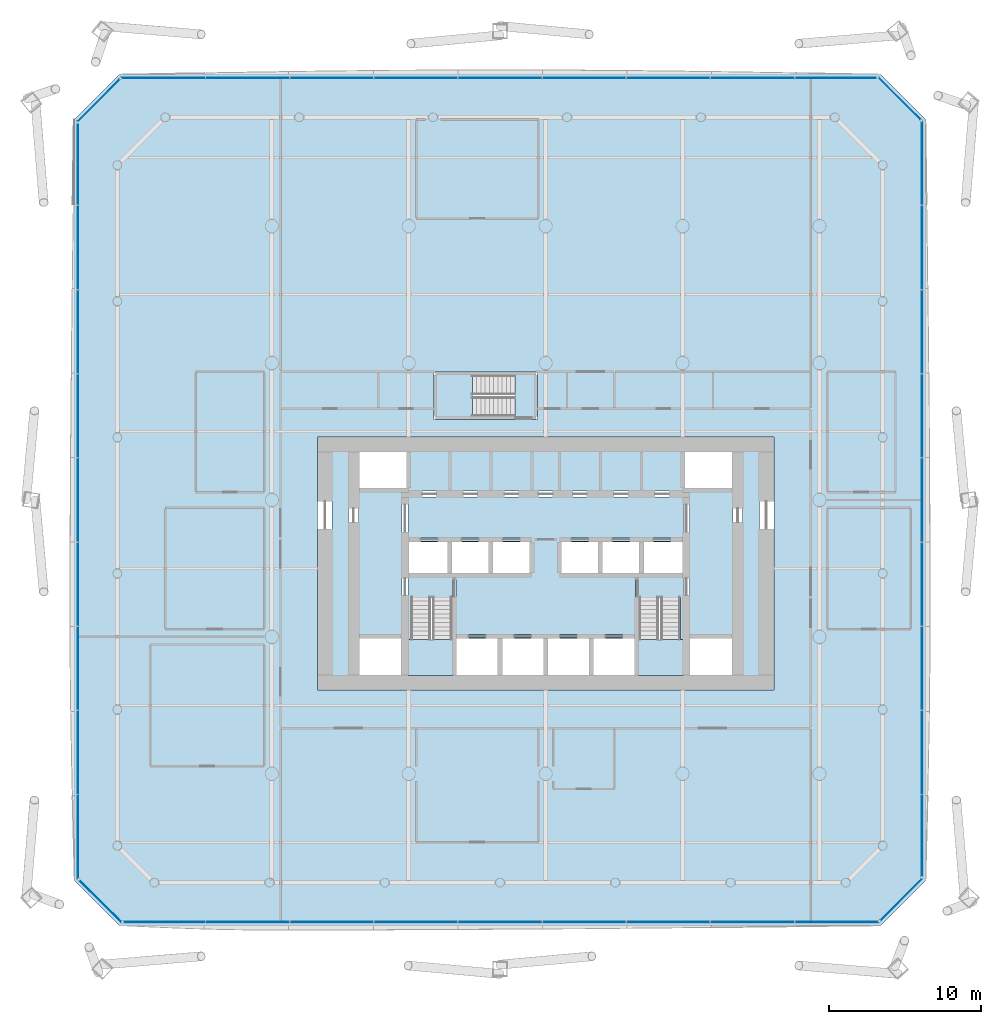
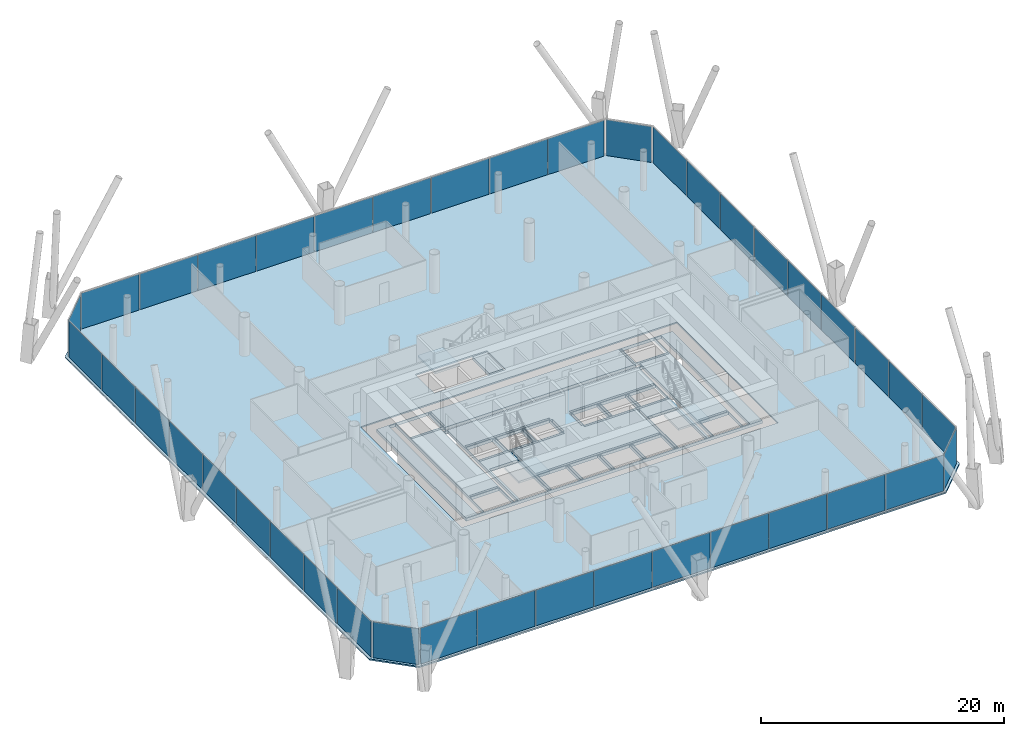
# One storey, part 16 of 25: 40 plates, 6 slabs, 11 elements without a shape of their own.
"""IFC4 building model written with IfcOpenShell, lengths in metres."""

from ifc_helpers import new_model, si_unit, direction, frame, origin, origin_2d, place, context, subcontext, project, spatial, polyline, rectangle, outline, extrude, material, layer, layer_set, type_object, element, aggregate, save


model = new_model("IFC4")

# Units and contexts
model_context = context("Model", 3, precision=1e-05, world=origin(), true_north=direction((0.0, 1.0)))
body_context = subcontext(model_context, "Body", "Model", "MODEL_VIEW")
ifc_project = project(units=[si_unit("LENGTHUNIT", "METRE"), si_unit("AREAUNIT", "SQUARE_METRE"), si_unit("VOLUMEUNIT", "CUBIC_METRE"), si_unit("PLANEANGLEUNIT", "RADIAN"), si_unit("MASSUNIT", "GRAM", prefix="KILO")], contexts=[model_context])

# Site, building, storey
site_placement = place(None, origin())
site = spatial("IfcSite", under=ifc_project, at=site_placement, CompositionType="ELEMENT")
building_placement = place(site_placement, origin())
building = spatial("IfcBuilding", under=site, at=building_placement, Name="Tskaro Facet Tower", CompositionType="ELEMENT")
storey_placement = place(building_placement, frame((0.0, 0.0, 10.800048828125)))
storey = spatial("IfcBuildingStorey", under=building, at=storey_placement, Name="L01", CompositionType="ELEMENT", Elevation=10.800048828125)

# Slab
ifc_material_1 = material(Name="Concrete C30/37", Category="concrete")
ifc_layer_1 = layer(ifc_material_1, 0.139892578125, Name="Concrete C30/37")
ifc_layer_set_1 = layer_set([ifc_layer_1], Name="Concrete C30/37")
slab_type_1 = type_object("IfcSlabType", Name="Composite deck floor slab", PredefinedType="FLOOR", material=ifc_layer_set_1)
slab_1_placement = place(storey_placement, frame((0.0, 0.0, -0.14013671875)))
element("IfcSlab", 1, at=slab_1_placement, inside=storey, type_object=slab_type_1, Name="Floor slab FS3 L01", PredefinedType="FLOOR", context=body_context, shape_type="SweptSolid", body=[
    extrude(outline(polyline([(-28.0, -28.0), (22.0, -28.0), (25.0, -25.0), (25.0, 25.0), (22.0, 28.0), (-28.0, 28.0), (-31.0, 25.0), (-31.0, -25.0), (-28.0, -28.0)]), holes=[polyline([(-15.0, -12.5), (15.0, -12.5), (15.0, 4.14990234375), (-15.0, 4.14990234375), (-15.0, -12.5)]), polyline([(-7.35009765625, 5.300048828125), (-0.550048828125, 5.300048828125), (-0.550048828125, 8.39990234375), (-7.35009765625, 8.39990234375), (-7.35009765625, 5.300048828125)])]), origin(), (0.0, 0.0, 1.0), 0.14013671875),
])

# Curtain wall, plates
ifc_material_2 = material(Name="Bronze anodised aluminium 6063-T6", Category="aluminium")
curtain_wall_type = type_object("IfcCurtainWallType", Name="Bronze office curtain wall (FW1)", PredefinedType="NOTDEFINED", material=ifc_material_2)
curtain_wall_1_placement = place(storey_placement, origin())
curtain_wall_1 = element("IfcCurtainWall", 2, at=curtain_wall_1_placement, inside=storey, type_object=curtain_wall_type, Name="FW1 south facet L01", PredefinedType="NOTDEFINED")
ifc_material_3 = material(Name="Bronze tinted glass", Category="glass")
ifc_layer_2 = layer(ifc_material_3, 0.031982421875, Name="Bronze tinted glass")
ifc_layer_set_2 = layer_set([ifc_layer_2], Name="Bronze tinted glass")
plate_type = type_object("IfcPlateType", Name="FW1 bronze-tinted unit glazing 32", PredefinedType="CURTAIN_PANEL", material=ifc_layer_set_2)
plate_1_placement = place(storey_placement, frame((-25.064697265625, -27.75, 0.0), z_axis=(0.0, 0.0, 1.0), x_axis=(1.0, 0.0, 0.0)))
plate_1 = element("IfcPlate", 3, at=plate_1_placement, type_object=plate_type, Name="FW1 south glazing 1.1", PredefinedType="CURTAIN_PANEL", context=body_context, shape_type="SweptSolid", body=[
    extrude(rectangle(XDim=5.342529296875, YDim=0.031982421875, at=origin_2d()), origin(), (0.0, 0.0, 1.0), 3.60009765625),
])
plate_2_placement = place(storey_placement, frame((-19.597412109375, -27.75, 0.0), z_axis=(0.0, 0.0, 1.0), x_axis=(1.0, 0.0, 0.0)))
plate_2 = element("IfcPlate", 4, at=plate_2_placement, type_object=plate_type, Name="FW1 south glazing 2.1", PredefinedType="CURTAIN_PANEL", context=body_context, shape_type="SweptSolid", body=[
    extrude(rectangle(XDim=5.472412109375, YDim=0.031982421875, at=origin_2d()), origin(), (0.0, 0.0, 1.0), 3.60009765625),
])
plate_3_placement = place(storey_placement, frame((-14.06494140625, -27.75, 0.0), z_axis=(0.0, 0.0, 1.0), x_axis=(1.0, 0.0, 0.0)))
plate_3 = element("IfcPlate", 5, at=plate_3_placement, type_object=plate_type, Name="FW1 south glazing 3.1", PredefinedType="CURTAIN_PANEL", context=body_context, shape_type="SweptSolid", body=[
    extrude(rectangle(XDim=5.472412109375, YDim=0.031982421875, at=origin_2d()), origin(), (0.0, 0.0, 1.0), 3.60009765625),
])
plate_4_placement = place(storey_placement, frame((-8.532470703125, -27.75, 0.0), z_axis=(0.0, 0.0, 1.0), x_axis=(1.0, 0.0, 0.0)))
plate_4 = element("IfcPlate", 6, at=plate_4_placement, type_object=plate_type, Name="FW1 south glazing 4.1", PredefinedType="CURTAIN_PANEL", context=body_context, shape_type="SweptSolid", body=[
    extrude(rectangle(XDim=5.472412109375, YDim=0.031982421875, at=origin_2d()), origin(), (0.0, 0.0, 1.0), 3.60009765625),
])
plate_5_placement = place(storey_placement, frame((-3.0, -27.75, 0.0), z_axis=(0.0, 0.0, 1.0), x_axis=(1.0, 0.0, 0.0)))
plate_5 = element("IfcPlate", 7, at=plate_5_placement, type_object=plate_type, Name="FW1 south glazing 5.1", PredefinedType="CURTAIN_PANEL", context=body_context, shape_type="SweptSolid", body=[
    extrude(rectangle(XDim=5.472412109375, YDim=0.031982421875, at=origin_2d()), origin(), (0.0, 0.0, 1.0), 3.60009765625),
])
plate_6_placement = place(storey_placement, frame((2.532470703125, -27.75, 0.0), z_axis=(0.0, 0.0, 1.0), x_axis=(1.0, 0.0, 0.0)))
plate_6 = element("IfcPlate", 8, at=plate_6_placement, type_object=plate_type, Name="FW1 south glazing 6.1", PredefinedType="CURTAIN_PANEL", context=body_context, shape_type="SweptSolid", body=[
    extrude(rectangle(XDim=5.472412109375, YDim=0.031982421875, at=origin_2d()), origin(), (0.0, 0.0, 1.0), 3.60009765625),
])
plate_7_placement = place(storey_placement, frame((8.06494140625, -27.75, 0.0), z_axis=(0.0, 0.0, 1.0), x_axis=(1.0, 0.0, 0.0)))
plate_7 = element("IfcPlate", 9, at=plate_7_placement, type_object=plate_type, Name="FW1 south glazing 7.1", PredefinedType="CURTAIN_PANEL", context=body_context, shape_type="SweptSolid", body=[
    extrude(rectangle(XDim=5.472412109375, YDim=0.031982421875, at=origin_2d()), origin(), (0.0, 0.0, 1.0), 3.60009765625),
])
plate_8_placement = place(storey_placement, frame((13.597412109375, -27.75, 0.0), z_axis=(0.0, 0.0, 1.0), x_axis=(1.0, 0.0, 0.0)))
plate_8 = element("IfcPlate", 10, at=plate_8_placement, type_object=plate_type, Name="FW1 south glazing 8.1", PredefinedType="CURTAIN_PANEL", context=body_context, shape_type="SweptSolid", body=[
    extrude(rectangle(XDim=5.472412109375, YDim=0.031982421875, at=origin_2d()), origin(), (0.0, 0.0, 1.0), 3.60009765625),
])
plate_9_placement = place(storey_placement, frame((19.144775390625, -27.75, 0.0), z_axis=(0.0, 0.0, 1.0), x_axis=(1.0, 0.0, 0.0)))
plate_9 = element("IfcPlate", 11, at=plate_9_placement, type_object=plate_type, Name="FW1 south glazing 9.1", PredefinedType="CURTAIN_PANEL", context=body_context, shape_type="SweptSolid", body=[
    extrude(rectangle(XDim=5.50244140625, YDim=0.031982421875, at=origin_2d()), origin(), (0.0, 0.0, 1.0), 3.60009765625),
])
aggregate(curtain_wall_1, [plate_1, plate_2, plate_3, plate_4, plate_5, plate_6, plate_7, plate_8, plate_9])

# Curtain wall, plate
curtain_wall_2_placement = place(storey_placement, origin())
curtain_wall_2 = element("IfcCurtainWall", 12, at=curtain_wall_2_placement, inside=storey, type_object=curtain_wall_type, Name="FW1 south-east facet L01", PredefinedType="NOTDEFINED")
plate_10_placement = place(storey_placement, frame((23.379638671875, -26.266357421875, 0.0), z_axis=(0.0, 0.0, 1.0), x_axis=(0.707106781187, 0.707106781187, 0.0)))
plate_10 = element("IfcPlate", 13, at=plate_10_placement, type_object=plate_type, Name="FW1 south-east glazing 1.1", PredefinedType="CURTAIN_PANEL", context=body_context, shape_type="SweptSolid", body=[
    extrude(rectangle(XDim=3.876220703125, YDim=0.031982421875, at=origin_2d()), origin(), (0.0, 0.0, 1.0), 3.60009765625),
])
aggregate(curtain_wall_2, [plate_10])

# Curtain wall, plates
curtain_wall_3_placement = place(storey_placement, origin())
curtain_wall_3 = element("IfcCurtainWall", 14, at=curtain_wall_3_placement, inside=storey, type_object=curtain_wall_type, Name="FW1 east facet L01", PredefinedType="NOTDEFINED")
plate_11_placement = place(storey_placement, frame((24.75, -22.064697265625, 0.0), z_axis=(0.0, 0.0, 1.0), x_axis=(0.0, 1.0, 0.0)))
plate_11 = element("IfcPlate", 15, at=plate_11_placement, type_object=plate_type, Name="FW1 east glazing 1.1", PredefinedType="CURTAIN_PANEL", context=body_context, shape_type="SweptSolid", body=[
    extrude(rectangle(XDim=5.342529296875, YDim=0.031982421875, at=origin_2d()), origin(), (0.0, 0.0, 1.0), 3.60009765625),
])
plate_12_placement = place(storey_placement, frame((24.75, -16.597412109375, 0.0), z_axis=(0.0, 0.0, 1.0), x_axis=(0.0, 1.0, 0.0)))
plate_12 = element("IfcPlate", 16, at=plate_12_placement, type_object=plate_type, Name="FW1 east glazing 2.1", PredefinedType="CURTAIN_PANEL", context=body_context, shape_type="SweptSolid", body=[
    extrude(rectangle(XDim=5.472412109375, YDim=0.031982421875, at=origin_2d()), origin(), (0.0, 0.0, 1.0), 3.60009765625),
])
plate_13_placement = place(storey_placement, frame((24.75, -11.06494140625, 0.0), z_axis=(0.0, 0.0, 1.0), x_axis=(0.0, 1.0, 0.0)))
plate_13 = element("IfcPlate", 17, at=plate_13_placement, type_object=plate_type, Name="FW1 east glazing 3.1", PredefinedType="CURTAIN_PANEL", context=body_context, shape_type="SweptSolid", body=[
    extrude(rectangle(XDim=5.472412109375, YDim=0.031982421875, at=origin_2d()), origin(), (0.0, 0.0, 1.0), 3.60009765625),
])
plate_14_placement = place(storey_placement, frame((24.75, -5.532470703125, 0.0), z_axis=(0.0, 0.0, 1.0), x_axis=(0.0, 1.0, 0.0)))
plate_14 = element("IfcPlate", 18, at=plate_14_placement, type_object=plate_type, Name="FW1 east glazing 4.1", PredefinedType="CURTAIN_PANEL", context=body_context, shape_type="SweptSolid", body=[
    extrude(rectangle(XDim=5.472412109375, YDim=0.031982421875, at=origin_2d()), origin(), (0.0, 0.0, 1.0), 3.60009765625),
])
plate_15_placement = place(storey_placement, frame((24.75, 0.0, 0.0), z_axis=(0.0, 0.0, 1.0), x_axis=(0.0, 1.0, 0.0)))
plate_15 = element("IfcPlate", 19, at=plate_15_placement, type_object=plate_type, Name="FW1 east glazing 5.1", PredefinedType="CURTAIN_PANEL", context=body_context, shape_type="SweptSolid", body=[
    extrude(rectangle(XDim=5.472412109375, YDim=0.031982421875, at=origin_2d()), origin(), (0.0, 0.0, 1.0), 3.60009765625),
])
plate_16_placement = place(storey_placement, frame((24.75, 5.532470703125, 0.0), z_axis=(0.0, 0.0, 1.0), x_axis=(0.0, 1.0, 0.0)))
plate_16 = element("IfcPlate", 20, at=plate_16_placement, type_object=plate_type, Name="FW1 east glazing 6.1", PredefinedType="CURTAIN_PANEL", context=body_context, shape_type="SweptSolid", body=[
    extrude(rectangle(XDim=5.472412109375, YDim=0.031982421875, at=origin_2d()), origin(), (0.0, 0.0, 1.0), 3.60009765625),
])
plate_17_placement = place(storey_placement, frame((24.75, 11.06494140625, 0.0), z_axis=(0.0, 0.0, 1.0), x_axis=(0.0, 1.0, 0.0)))
plate_17 = element("IfcPlate", 21, at=plate_17_placement, type_object=plate_type, Name="FW1 east glazing 7.1", PredefinedType="CURTAIN_PANEL", context=body_context, shape_type="SweptSolid", body=[
    extrude(rectangle(XDim=5.472412109375, YDim=0.031982421875, at=origin_2d()), origin(), (0.0, 0.0, 1.0), 3.60009765625),
])
plate_18_placement = place(storey_placement, frame((24.75, 16.597412109375, 0.0), z_axis=(0.0, 0.0, 1.0), x_axis=(0.0, 1.0, 0.0)))
plate_18 = element("IfcPlate", 22, at=plate_18_placement, type_object=plate_type, Name="FW1 east glazing 8.1", PredefinedType="CURTAIN_PANEL", context=body_context, shape_type="SweptSolid", body=[
    extrude(rectangle(XDim=5.472412109375, YDim=0.031982421875, at=origin_2d()), origin(), (0.0, 0.0, 1.0), 3.60009765625),
])
plate_19_placement = place(storey_placement, frame((24.75, 22.144775390625, 0.0), z_axis=(0.0, 0.0, 1.0), x_axis=(0.0, 1.0, 0.0)))
plate_19 = element("IfcPlate", 23, at=plate_19_placement, type_object=plate_type, Name="FW1 east glazing 9.1", PredefinedType="CURTAIN_PANEL", context=body_context, shape_type="SweptSolid", body=[
    extrude(rectangle(XDim=5.50244140625, YDim=0.031982421875, at=origin_2d()), origin(), (0.0, 0.0, 1.0), 3.60009765625),
])
aggregate(curtain_wall_3, [plate_11, plate_12, plate_13, plate_14, plate_15, plate_16, plate_17, plate_18, plate_19])

# Curtain wall, plate
curtain_wall_4_placement = place(storey_placement, origin())
curtain_wall_4 = element("IfcCurtainWall", 24, at=curtain_wall_4_placement, inside=storey, type_object=curtain_wall_type, Name="FW1 north-east facet L01", PredefinedType="NOTDEFINED")
plate_20_placement = place(storey_placement, frame((23.266357421875, 26.379638671875, 0.0), z_axis=(0.0, 0.0, 1.0), x_axis=(-0.707106781187, 0.707106781187, 0.0)))
plate_20 = element("IfcPlate", 25, at=plate_20_placement, type_object=plate_type, Name="FW1 north-east glazing 1.1", PredefinedType="CURTAIN_PANEL", context=body_context, shape_type="SweptSolid", body=[
    extrude(rectangle(XDim=3.876220703125, YDim=0.031982421875, at=origin_2d()), origin(), (0.0, 0.0, 1.0), 3.60009765625),
])
aggregate(curtain_wall_4, [plate_20])

# Curtain wall, plates
curtain_wall_5_placement = place(storey_placement, origin())
curtain_wall_5 = element("IfcCurtainWall", 26, at=curtain_wall_5_placement, inside=storey, type_object=curtain_wall_type, Name="FW1 north facet L01", PredefinedType="NOTDEFINED")
plate_21_placement = place(storey_placement, frame((19.064697265625, 27.75, 0.0), z_axis=(0.0, 0.0, 1.0), x_axis=(-1.0, 0.0, 0.0)))
plate_21 = element("IfcPlate", 27, at=plate_21_placement, type_object=plate_type, Name="FW1 north glazing 1.1", PredefinedType="CURTAIN_PANEL", context=body_context, shape_type="SweptSolid", body=[
    extrude(rectangle(XDim=5.342529296875, YDim=0.031982421875, at=origin_2d()), origin(), (0.0, 0.0, 1.0), 3.60009765625),
])
plate_22_placement = place(storey_placement, frame((13.597412109375, 27.75, 0.0), z_axis=(0.0, 0.0, 1.0), x_axis=(-1.0, 0.0, 0.0)))
plate_22 = element("IfcPlate", 28, at=plate_22_placement, type_object=plate_type, Name="FW1 north glazing 2.1", PredefinedType="CURTAIN_PANEL", context=body_context, shape_type="SweptSolid", body=[
    extrude(rectangle(XDim=5.472412109375, YDim=0.031982421875, at=origin_2d()), origin(), (0.0, 0.0, 1.0), 3.60009765625),
])
plate_23_placement = place(storey_placement, frame((8.06494140625, 27.75, 0.0), z_axis=(0.0, 0.0, 1.0), x_axis=(-1.0, 0.0, 0.0)))
plate_23 = element("IfcPlate", 29, at=plate_23_placement, type_object=plate_type, Name="FW1 north glazing 3.1", PredefinedType="CURTAIN_PANEL", context=body_context, shape_type="SweptSolid", body=[
    extrude(rectangle(XDim=5.472412109375, YDim=0.031982421875, at=origin_2d()), origin(), (0.0, 0.0, 1.0), 3.60009765625),
])
plate_24_placement = place(storey_placement, frame((2.532470703125, 27.75, 0.0), z_axis=(0.0, 0.0, 1.0), x_axis=(-1.0, 0.0, 0.0)))
plate_24 = element("IfcPlate", 30, at=plate_24_placement, type_object=plate_type, Name="FW1 north glazing 4.1", PredefinedType="CURTAIN_PANEL", context=body_context, shape_type="SweptSolid", body=[
    extrude(rectangle(XDim=5.472412109375, YDim=0.031982421875, at=origin_2d()), origin(), (0.0, 0.0, 1.0), 3.60009765625),
])
plate_25_placement = place(storey_placement, frame((-3.0, 27.75, 0.0), z_axis=(0.0, 0.0, 1.0), x_axis=(-1.0, 0.0, 0.0)))
plate_25 = element("IfcPlate", 31, at=plate_25_placement, type_object=plate_type, Name="FW1 north glazing 5.1", PredefinedType="CURTAIN_PANEL", context=body_context, shape_type="SweptSolid", body=[
    extrude(rectangle(XDim=5.472412109375, YDim=0.031982421875, at=origin_2d()), origin(), (0.0, 0.0, 1.0), 3.60009765625),
])
plate_26_placement = place(storey_placement, frame((-8.532470703125, 27.75, 0.0), z_axis=(0.0, 0.0, 1.0), x_axis=(-1.0, 0.0, 0.0)))
plate_26 = element("IfcPlate", 32, at=plate_26_placement, type_object=plate_type, Name="FW1 north glazing 6.1", PredefinedType="CURTAIN_PANEL", context=body_context, shape_type="SweptSolid", body=[
    extrude(rectangle(XDim=5.472412109375, YDim=0.031982421875, at=origin_2d()), origin(), (0.0, 0.0, 1.0), 3.60009765625),
])
plate_27_placement = place(storey_placement, frame((-14.06494140625, 27.75, 0.0), z_axis=(0.0, 0.0, 1.0), x_axis=(-1.0, 0.0, 0.0)))
plate_27 = element("IfcPlate", 33, at=plate_27_placement, type_object=plate_type, Name="FW1 north glazing 7.1", PredefinedType="CURTAIN_PANEL", context=body_context, shape_type="SweptSolid", body=[
    extrude(rectangle(XDim=5.472412109375, YDim=0.031982421875, at=origin_2d()), origin(), (0.0, 0.0, 1.0), 3.60009765625),
])
plate_28_placement = place(storey_placement, frame((-19.597412109375, 27.75, 0.0), z_axis=(0.0, 0.0, 1.0), x_axis=(-1.0, 0.0, 0.0)))
plate_28 = element("IfcPlate", 34, at=plate_28_placement, type_object=plate_type, Name="FW1 north glazing 8.1", PredefinedType="CURTAIN_PANEL", context=body_context, shape_type="SweptSolid", body=[
    extrude(rectangle(XDim=5.472412109375, YDim=0.031982421875, at=origin_2d()), origin(), (0.0, 0.0, 1.0), 3.60009765625),
])
plate_29_placement = place(storey_placement, frame((-25.144775390625, 27.75, 0.0), z_axis=(0.0, 0.0, 1.0), x_axis=(-1.0, 0.0, 0.0)))
plate_29 = element("IfcPlate", 35, at=plate_29_placement, type_object=plate_type, Name="FW1 north glazing 9.1", PredefinedType="CURTAIN_PANEL", context=body_context, shape_type="SweptSolid", body=[
    extrude(rectangle(XDim=5.50244140625, YDim=0.031982421875, at=origin_2d()), origin(), (0.0, 0.0, 1.0), 3.60009765625),
])
aggregate(curtain_wall_5, [plate_21, plate_22, plate_23, plate_24, plate_25, plate_26, plate_27, plate_28, plate_29])

# Curtain wall, plate
curtain_wall_6_placement = place(storey_placement, origin())
curtain_wall_6 = element("IfcCurtainWall", 36, at=curtain_wall_6_placement, inside=storey, type_object=curtain_wall_type, Name="FW1 north-west facet L01", PredefinedType="NOTDEFINED")
plate_30_placement = place(storey_placement, frame((-29.379638671875, 26.266357421875, 0.0), z_axis=(0.0, 0.0, 1.0), x_axis=(-0.707106781187, -0.707106781187, 0.0)))
plate_30 = element("IfcPlate", 37, at=plate_30_placement, type_object=plate_type, Name="FW1 north-west glazing 1.1", PredefinedType="CURTAIN_PANEL", context=body_context, shape_type="SweptSolid", body=[
    extrude(rectangle(XDim=3.876220703125, YDim=0.031982421875, at=origin_2d()), origin(), (0.0, 0.0, 1.0), 3.60009765625),
])
aggregate(curtain_wall_6, [plate_30])

# Curtain wall, plates
curtain_wall_7_placement = place(storey_placement, origin())
curtain_wall_7 = element("IfcCurtainWall", 38, at=curtain_wall_7_placement, inside=storey, type_object=curtain_wall_type, Name="FW1 west facet L01", PredefinedType="NOTDEFINED")
plate_31_placement = place(storey_placement, frame((-30.75, 22.064697265625, 0.0), z_axis=(0.0, 0.0, 1.0), x_axis=(0.0, -1.0, 0.0)))
plate_31 = element("IfcPlate", 39, at=plate_31_placement, type_object=plate_type, Name="FW1 west glazing 1.1", PredefinedType="CURTAIN_PANEL", context=body_context, shape_type="SweptSolid", body=[
    extrude(rectangle(XDim=5.342529296875, YDim=0.031982421875, at=origin_2d()), origin(), (0.0, 0.0, 1.0), 3.60009765625),
])
plate_32_placement = place(storey_placement, frame((-30.75, 16.597412109375, 0.0), z_axis=(0.0, 0.0, 1.0), x_axis=(0.0, -1.0, 0.0)))
plate_32 = element("IfcPlate", 40, at=plate_32_placement, type_object=plate_type, Name="FW1 west glazing 2.1", PredefinedType="CURTAIN_PANEL", context=body_context, shape_type="SweptSolid", body=[
    extrude(rectangle(XDim=5.472412109375, YDim=0.031982421875, at=origin_2d()), origin(), (0.0, 0.0, 1.0), 3.60009765625),
])
plate_33_placement = place(storey_placement, frame((-30.75, 11.06494140625, 0.0), z_axis=(0.0, 0.0, 1.0), x_axis=(0.0, -1.0, 0.0)))
plate_33 = element("IfcPlate", 41, at=plate_33_placement, type_object=plate_type, Name="FW1 west glazing 3.1", PredefinedType="CURTAIN_PANEL", context=body_context, shape_type="SweptSolid", body=[
    extrude(rectangle(XDim=5.472412109375, YDim=0.031982421875, at=origin_2d()), origin(), (0.0, 0.0, 1.0), 3.60009765625),
])
plate_34_placement = place(storey_placement, frame((-30.75, 5.532470703125, 0.0), z_axis=(0.0, 0.0, 1.0), x_axis=(0.0, -1.0, 0.0)))
plate_34 = element("IfcPlate", 42, at=plate_34_placement, type_object=plate_type, Name="FW1 west glazing 4.1", PredefinedType="CURTAIN_PANEL", context=body_context, shape_type="SweptSolid", body=[
    extrude(rectangle(XDim=5.472412109375, YDim=0.031982421875, at=origin_2d()), origin(), (0.0, 0.0, 1.0), 3.60009765625),
])
plate_35_placement = place(storey_placement, frame((-30.75, 0.0, 0.0), z_axis=(0.0, 0.0, 1.0), x_axis=(0.0, -1.0, 0.0)))
plate_35 = element("IfcPlate", 43, at=plate_35_placement, type_object=plate_type, Name="FW1 west glazing 5.1", PredefinedType="CURTAIN_PANEL", context=body_context, shape_type="SweptSolid", body=[
    extrude(rectangle(XDim=5.472412109375, YDim=0.031982421875, at=origin_2d()), origin(), (0.0, 0.0, 1.0), 3.60009765625),
])
plate_36_placement = place(storey_placement, frame((-30.75, -5.532470703125, 0.0), z_axis=(0.0, 0.0, 1.0), x_axis=(0.0, -1.0, 0.0)))
plate_36 = element("IfcPlate", 44, at=plate_36_placement, type_object=plate_type, Name="FW1 west glazing 6.1", PredefinedType="CURTAIN_PANEL", context=body_context, shape_type="SweptSolid", body=[
    extrude(rectangle(XDim=5.472412109375, YDim=0.031982421875, at=origin_2d()), origin(), (0.0, 0.0, 1.0), 3.60009765625),
])
plate_37_placement = place(storey_placement, frame((-30.75, -11.06494140625, 0.0), z_axis=(0.0, 0.0, 1.0), x_axis=(0.0, -1.0, 0.0)))
plate_37 = element("IfcPlate", 45, at=plate_37_placement, type_object=plate_type, Name="FW1 west glazing 7.1", PredefinedType="CURTAIN_PANEL", context=body_context, shape_type="SweptSolid", body=[
    extrude(rectangle(XDim=5.472412109375, YDim=0.031982421875, at=origin_2d()), origin(), (0.0, 0.0, 1.0), 3.60009765625),
])
plate_38_placement = place(storey_placement, frame((-30.75, -16.597412109375, 0.0), z_axis=(0.0, 0.0, 1.0), x_axis=(0.0, -1.0, 0.0)))
plate_38 = element("IfcPlate", 46, at=plate_38_placement, type_object=plate_type, Name="FW1 west glazing 8.1", PredefinedType="CURTAIN_PANEL", context=body_context, shape_type="SweptSolid", body=[
    extrude(rectangle(XDim=5.472412109375, YDim=0.031982421875, at=origin_2d()), origin(), (0.0, 0.0, 1.0), 3.60009765625),
])
plate_39_placement = place(storey_placement, frame((-30.75, -22.144775390625, 0.0), z_axis=(0.0, 0.0, 1.0), x_axis=(0.0, -1.0, 0.0)))
plate_39 = element("IfcPlate", 47, at=plate_39_placement, type_object=plate_type, Name="FW1 west glazing 9.1", PredefinedType="CURTAIN_PANEL", context=body_context, shape_type="SweptSolid", body=[
    extrude(rectangle(XDim=5.50244140625, YDim=0.031982421875, at=origin_2d()), origin(), (0.0, 0.0, 1.0), 3.60009765625),
])
aggregate(curtain_wall_7, [plate_31, plate_32, plate_33, plate_34, plate_35, plate_36, plate_37, plate_38, plate_39])

# Curtain wall, plate
curtain_wall_8_placement = place(storey_placement, origin())
curtain_wall_8 = element("IfcCurtainWall", 48, at=curtain_wall_8_placement, inside=storey, type_object=curtain_wall_type, Name="FW1 south-west facet L01", PredefinedType="NOTDEFINED")
plate_40_placement = place(storey_placement, frame((-29.266357421875, -26.379638671875, 0.0), z_axis=(0.0, 0.0, 1.0), x_axis=(0.707106781187, -0.707106781187, 0.0)))
plate_40 = element("IfcPlate", 49, at=plate_40_placement, type_object=plate_type, Name="FW1 south-west glazing 1.1", PredefinedType="CURTAIN_PANEL", context=body_context, shape_type="SweptSolid", body=[
    extrude(rectangle(XDim=3.876220703125, YDim=0.031982421875, at=origin_2d()), origin(), (0.0, 0.0, 1.0), 3.60009765625),
])
aggregate(curtain_wall_8, [plate_40])

# Stair, slab
ifc_material_4 = material(Name="Concrete C40/50", Category="concrete")
stair_type = type_object("IfcStairType", Name="ST-TWR", PredefinedType="HALF_TURN_STAIR", material=ifc_material_4)
stair_1_placement = place(storey_placement, origin())
stair_1 = element("IfcStair", 50, at=stair_1_placement, inside=storey, type_object=stair_type, Name="L01 Exit stair 1", PredefinedType="HALF_TURN_STAIR")
ifc_layer_3 = layer(ifc_material_4, 0.199951171875, Name="Concrete C40/50")
ifc_layer_set_3 = layer_set([ifc_layer_3], Name="Concrete C40/50")
slab_type_2 = type_object("IfcSlabType", Name="SL-LANDING", PredefinedType="LANDING", material=ifc_layer_set_3)
slab_2_placement = place(storey_placement, frame((0.0, 0.0, 1.75)))
slab_2 = element("IfcSlab", 51, at=slab_2_placement, type_object=slab_type_2, Name="ST-1 landing 1", PredefinedType="LANDING", context=body_context, shape_type="SweptSolid", body=[
    extrude(outline(polyline([(-9.050048828125, -11.550048828125), (-6.10009765625, -11.550048828125), (-6.10009765625, -9.175048828125), (-9.050048828125, -9.175048828125), (-9.050048828125, -11.550048828125)])), origin(), (0.0, 0.0, 1.0), 0.199951171875),
])
aggregate(stair_1, [slab_2])

stair_2_placement = place(storey_placement, origin())
stair_2 = element("IfcStair", 52, at=stair_2_placement, inside=storey, type_object=stair_type, Name="L01 Exit stair 2", PredefinedType="HALF_TURN_STAIR")
slab_3_placement = place(storey_placement, frame((0.0, 0.0, 1.75)))
slab_3 = element("IfcSlab", 53, at=slab_3_placement, type_object=slab_type_2, Name="ST-2 landing 1", PredefinedType="LANDING", context=body_context, shape_type="SweptSolid", body=[
    extrude(outline(polyline([(6.10009765625, -11.550048828125), (9.050048828125, -11.550048828125), (9.050048828125, -9.175048828125), (6.10009765625, -9.175048828125), (6.10009765625, -11.550048828125)])), origin(), (0.0, 0.0, 1.0), 0.199951171875),
])
aggregate(stair_2, [slab_3])

stair_3_placement = place(storey_placement, origin())
stair_3 = element("IfcStair", 54, at=stair_3_placement, inside=storey, type_object=stair_type, Name="L01 Exit stair 3", PredefinedType="HALF_TURN_STAIR")
slab_4_placement = place(storey_placement, frame((0.0, 0.0, 1.75)))
slab_4 = element("IfcSlab", 55, at=slab_4_placement, type_object=slab_type_2, Name="ST-3 landing 1", PredefinedType="LANDING", context=body_context, shape_type="SweptSolid", body=[
    extrude(outline(polyline([(-7.199951171875, 5.449951171875), (-4.824951171875, 5.449951171875), (-4.824951171875, 8.25), (-7.199951171875, 8.25), (-7.199951171875, 5.449951171875)])), origin(), (0.0, 0.0, 1.0), 0.199951171875),
])
aggregate(stair_3, [slab_4])

# Slabs
ifc_material_5 = material(Name="Concrete C60/75", Category="concrete")
ifc_layer_4 = layer(ifc_material_5, 0.300048828125, Name="Concrete C60/75")
ifc_layer_set_4 = layer_set([ifc_layer_4], Name="Concrete C60/75")
slab_type_3 = type_object("IfcSlabType", Name="SLAB-CORE", PredefinedType="FLOOR", material=ifc_layer_set_4)
slab_5_placement = place(storey_placement, frame((0.0, 0.0, -0.300048828125)))
element("IfcSlab", 56, at=slab_5_placement, inside=storey, type_object=slab_type_3, Name="Core floor slab 1", PredefinedType="FLOOR", context=body_context, shape_type="SweptSolid", body=[
    extrude(outline(polyline([(-14.050048828125, 3.199951171875), (14.050048828125, 3.199951171875), (14.050048828125, 3.10009765625), (14.050048828125, -11.449951171875), (14.050048828125, -11.550048828125), (-14.050048828125, -11.550048828125), (-14.050048828125, -11.449951171875), (-14.050048828125, 3.10009765625), (-14.050048828125, 3.199951171875)]), holes=[polyline([(-9.5, -9.10009765625), (-12.25, -9.10009765625), (-12.25, -11.5), (-9.5, -11.5), (-9.5, -9.10009765625)]), polyline([(-3.14990234375, -9.10009765625), (-5.85009765625, -9.10009765625), (-5.85009765625, -11.5), (-3.14990234375, -11.5), (-3.14990234375, -9.10009765625)]), polyline([(-12.199951171875, -8.85009765625), (-12.199951171875, -9.050048828125), (-9.550048828125, -9.050048828125), (-9.550048828125, -8.85009765625), (-12.199951171875, -8.85009765625)]), polyline([(-6.10009765625, -11.449951171875), (-5.89990234375, -11.449951171875), (-5.89990234375, -5.14990234375), (-6.10009765625, -5.14990234375), (-6.10009765625, -11.449951171875)]), polyline([(-9.449951171875, 0.10009765625), (-9.449951171875, -11.449951171875), (-9.050048828125, -11.449951171875), (-9.050048828125, 0.10009765625), (-9.449951171875, 0.10009765625)]), polyline([(-8.949951171875, -4.85009765625), (-8.949951171875, -5.050048828125), (-0.949951171875, -5.050048828125), (-0.949951171875, -4.85009765625), (-8.949951171875, -4.85009765625)]), polyline([(-12.949951171875, -11.449951171875), (-12.300048828125, -11.449951171875), (-12.300048828125, 3.10009765625), (-12.949951171875, 3.10009765625), (-12.949951171875, -11.449951171875)]), polyline([(-6.449951171875, -4.800048828125), (-6.449951171875, -2.75), (-9.0, -2.75), (-9.0, -4.800048828125), (-6.449951171875, -4.800048828125)]), polyline([(-6.14990234375, -4.800048828125), (-3.75, -4.800048828125), (-3.75, -2.75), (-6.14990234375, -2.75), (-6.14990234375, -4.800048828125)]), polyline([(-6.39990234375, -2.800048828125), (-6.39990234375, -4.75), (-6.199951171875, -4.75), (-6.199951171875, -2.800048828125), (-6.39990234375, -2.800048828125)]), polyline([(-8.949951171875, -2.5), (-8.949951171875, -2.699951171875), (-0.949951171875, -2.699951171875), (-0.949951171875, -2.5), (-8.949951171875, -2.5)]), polyline([(9.449951171875, 0.550048828125), (12.199951171875, 0.550048828125), (12.199951171875, 0.75), (9.050048828125, 0.75), (9.050048828125, 0.60009765625), (-9.050048828125, 0.60009765625), (-9.050048828125, 0.75), (-12.199951171875, 0.75), (-12.199951171875, 0.550048828125), (-9.449951171875, 0.550048828125), (-9.449951171875, 0.199951171875), (9.449951171875, 0.199951171875), (9.449951171875, 0.550048828125)]), polyline([(-9.10009765625, 3.10009765625), (-9.10009765625, 0.85009765625), (-8.89990234375, 0.85009765625), (-8.89990234375, 3.10009765625), (-9.10009765625, 3.10009765625)]), polyline([(-9.14990234375, 0.800048828125), (-9.14990234375, 3.14990234375), (-12.25, 3.14990234375), (-12.25, 0.800048828125), (-9.14990234375, 0.800048828125)]), polyline([(2.89990234375, -11.449951171875), (3.10009765625, -11.449951171875), (3.10009765625, -9.14990234375), (2.89990234375, -9.14990234375), (2.89990234375, -11.449951171875)]), polyline([(-3.10009765625, -9.14990234375), (-3.10009765625, -11.449951171875), (-2.89990234375, -11.449951171875), (-2.89990234375, -9.14990234375), (-3.10009765625, -9.14990234375)]), polyline([(2.85009765625, -9.10009765625), (0.14990234375, -9.10009765625), (0.14990234375, -11.5), (2.85009765625, -11.5), (2.85009765625, -9.10009765625)]), polyline([(-0.14990234375, -9.10009765625), (-2.85009765625, -9.10009765625), (-2.85009765625, -11.5), (-0.14990234375, -11.5), (-0.14990234375, -9.10009765625)]), polyline([(-0.10009765625, -9.14990234375), (-0.10009765625, -11.449951171875), (0.10009765625, -11.449951171875), (0.10009765625, -9.14990234375), (-0.10009765625, -9.14990234375)]), polyline([(-5.800048828125, -8.85009765625), (-5.800048828125, -9.050048828125), (5.800048828125, -9.050048828125), (5.800048828125, -8.85009765625), (-5.800048828125, -8.85009765625)]), polyline([(-1.0, -2.800048828125), (-1.0, -4.75), (-0.800048828125, -4.75), (-0.800048828125, -2.800048828125), (-1.0, -2.800048828125)]), polyline([(0.800048828125, -4.75), (1.0, -4.75), (1.0, -2.800048828125), (0.800048828125, -2.800048828125), (0.800048828125, -4.75)]), polyline([(-3.449951171875, -2.75), (-3.449951171875, -4.800048828125), (-1.050048828125, -4.800048828125), (-1.050048828125, -2.75), (-3.449951171875, -2.75)]), polyline([(1.050048828125, -4.800048828125), (3.449951171875, -4.800048828125), (3.449951171875, -2.75), (1.050048828125, -2.75), (1.050048828125, -4.800048828125)]), polyline([(-3.699951171875, -4.75), (-3.5, -4.75), (-3.5, -2.800048828125), (-3.699951171875, -2.800048828125), (-3.699951171875, -4.75)]), polyline([(3.14990234375, -9.10009765625), (3.14990234375, -11.5), (5.85009765625, -11.5), (5.85009765625, -9.10009765625), (3.14990234375, -9.10009765625)]), polyline([(12.25, -11.5), (12.25, -9.10009765625), (9.5, -9.10009765625), (9.5, -11.5), (12.25, -11.5)]), polyline([(9.550048828125, -8.85009765625), (9.550048828125, -9.050048828125), (12.199951171875, -9.050048828125), (12.199951171875, -8.85009765625), (9.550048828125, -8.85009765625)]), polyline([(5.89990234375, -11.449951171875), (6.10009765625, -11.449951171875), (6.10009765625, -5.14990234375), (5.89990234375, -5.14990234375), (5.89990234375, -11.449951171875)]), polyline([(9.050048828125, 0.10009765625), (9.050048828125, -11.449951171875), (9.449951171875, -11.449951171875), (9.449951171875, 0.10009765625), (9.050048828125, 0.10009765625)]), polyline([(0.949951171875, -4.85009765625), (0.949951171875, -5.050048828125), (8.949951171875, -5.050048828125), (8.949951171875, -4.85009765625), (0.949951171875, -4.85009765625)]), polyline([(12.300048828125, -11.449951171875), (12.949951171875, -11.449951171875), (12.949951171875, 3.10009765625), (12.300048828125, 3.10009765625), (12.300048828125, -11.449951171875)]), polyline([(3.5, -2.800048828125), (3.5, -4.75), (3.699951171875, -4.75), (3.699951171875, -2.800048828125), (3.5, -2.800048828125)]), polyline([(6.14990234375, -2.75), (3.75, -2.75), (3.75, -4.800048828125), (6.14990234375, -4.800048828125), (6.14990234375, -2.75)]), polyline([(6.199951171875, -2.800048828125), (6.199951171875, -4.75), (6.39990234375, -4.75), (6.39990234375, -2.800048828125), (6.199951171875, -2.800048828125)]), polyline([(6.449951171875, -2.75), (6.449951171875, -4.800048828125), (9.0, -4.800048828125), (9.0, -2.75), (6.449951171875, -2.75)]), polyline([(0.949951171875, -2.5), (0.949951171875, -2.699951171875), (8.949951171875, -2.699951171875), (8.949951171875, -2.5), (0.949951171875, -2.5)]), polyline([(8.89990234375, 3.10009765625), (8.89990234375, 0.85009765625), (9.10009765625, 0.85009765625), (9.10009765625, 3.10009765625), (8.89990234375, 3.10009765625)]), polyline([(9.14990234375, 0.800048828125), (12.25, 0.800048828125), (12.25, 3.14990234375), (9.14990234375, 3.14990234375), (9.14990234375, 0.800048828125)]), polyline([(-8.85009765625, -11.5), (-6.14990234375, -11.5), (-6.14990234375, -6.39501953125), (-8.85009765625, -6.39501953125), (-8.85009765625, -11.5)]), polyline([(6.14990234375, -6.39501953125), (6.14990234375, -11.5), (8.85009765625, -11.5), (8.85009765625, -6.39501953125), (6.14990234375, -6.39501953125)])]), origin(), (0.0, 0.0, 1.0), 0.300048828125),
])
slab_6_placement = place(storey_placement, frame((0.0, 0.0, -0.300048828125)))
element("IfcSlab", 57, at=slab_6_placement, inside=storey, type_object=slab_type_3, Name="Stair 3 floor landing 1", PredefinedType="FLOOR", context=body_context, shape_type="SweptSolid", body=[
    extrude(outline(polyline([(-2.02490234375, 5.449951171875), (-0.699951171875, 5.449951171875), (-0.699951171875, 8.25), (-2.02490234375, 8.25), (-2.02490234375, 5.449951171875)])), origin(), (0.0, 0.0, 1.0), 0.300048828125),
])

save(model, "model.ifc")
